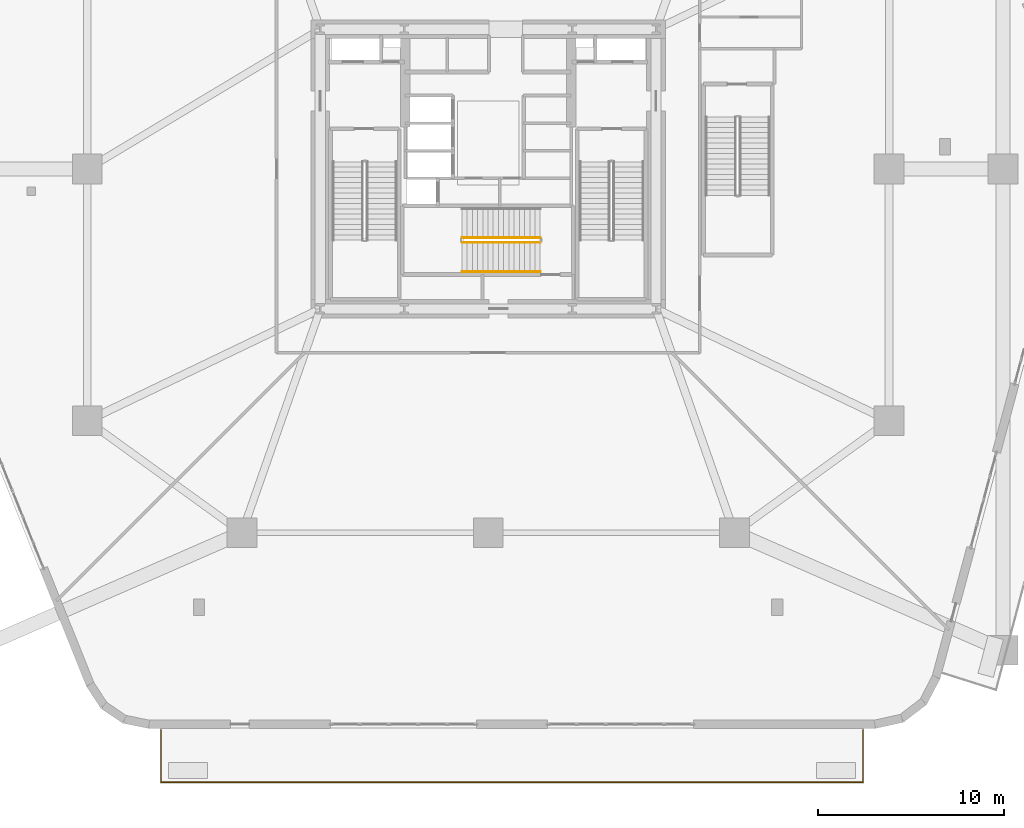
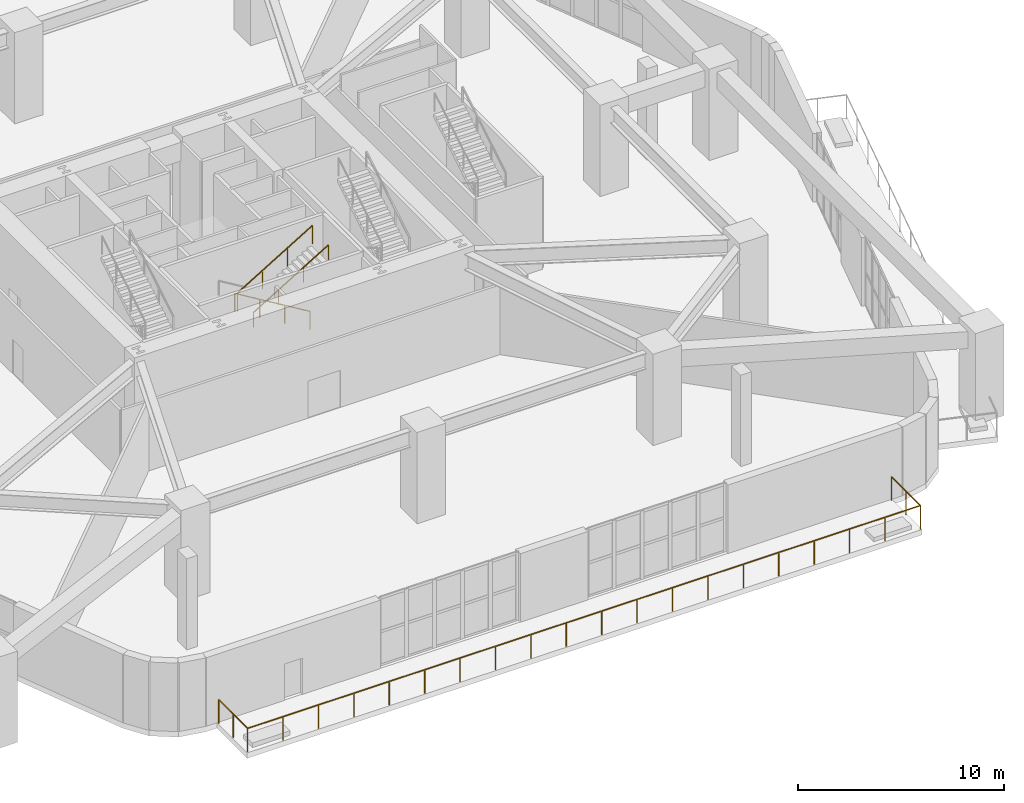
# One storey, part 31 of 34: 4 railings.
"""IFC4 building model written with IfcOpenShell, lengths in metres."""

from ifc_helpers import new_model, si_unit, direction, frame, origin, origin_2d, place, context, subcontext, project, spatial, rectangle, extrude, material, layer, layer_set, type_object, element, save


model = new_model("IFC4")

# Units and contexts
model_context = context("Model", 3, precision=1e-05, world=origin(), true_north=direction((0.0, 1.0)))
body_context = subcontext(model_context, "Body", "Model", "MODEL_VIEW")
ifc_project = project(units=[si_unit("LENGTHUNIT", "METRE"), si_unit("AREAUNIT", "SQUARE_METRE"), si_unit("VOLUMEUNIT", "CUBIC_METRE"), si_unit("PLANEANGLEUNIT", "RADIAN"), si_unit("MASSUNIT", "GRAM", prefix="KILO")], contexts=[model_context])

# Site, building, storey
site_placement = place(None, origin())
site = spatial("IfcSite", under=ifc_project, at=site_placement, CompositionType="ELEMENT")
building_placement = place(site_placement, origin())
building = spatial("IfcBuilding", under=site, at=building_placement, Name="Kilnhurst Terrace Hotel", CompositionType="ELEMENT")
storey_placement = place(building_placement, frame((0.0, 0.0, 6.0)))
storey = spatial("IfcBuildingStorey", under=building, at=storey_placement, Name="L01", CompositionType="ELEMENT", Elevation=6.0)

# Railings
ifc_material_1 = material(Name="Laminated SentryGlas and Stainless Steel AISI 316L Balustrade", Category="steel")
ifc_layer_1 = layer(ifc_material_1, 0.070068359375, Name="Laminated SentryGlas and Stainless Steel AISI 316L Balustrade")
ifc_layer_set_1 = layer_set([ifc_layer_1], Name="Laminated SentryGlas and Stainless Steel AISI 316L Balustrade")
railing_type_1 = type_object("IfcRailingType", Name="RLG-BAL-1420", PredefinedType="BALUSTRADE", material=ifc_layer_set_1)
railing_1_placement = place(storey_placement, frame((20.09765625, -30.080078125, 0.0)))
element("IfcRailing", 1, at=railing_1_placement, inside=storey, type_object=railing_type_1, Name="L01 Exterior Terrace Guardrail TERR-1.1", PredefinedType="BALUSTRADE", context=body_context, shape_type="SweptSolid", body=[
    extrude(rectangle(XDim=0.048095703125, YDim=0.048095703125, at=origin_2d()), frame((0.0, 0.0, 1.39599609375), z_axis=(0.0, -1.0, 0.0), x_axis=(1.0, 0.0, 0.0)), (0.0, 0.0, 1.0), 2.7998046875),
    extrude(rectangle(XDim=0.048095703125, YDim=0.048095703125, at=origin_2d()), frame((0.0, -2.7998046875, 1.39599609375), z_axis=(-1.0, 0.0, 0.0), x_axis=(0.0, -1.0, 0.0)), (0.0, 0.0, 1.0), 37.641845703125),
    extrude(rectangle(XDim=0.048095703125, YDim=0.048095703125, at=origin_2d()), frame((-37.641845703125, -2.7998046875, 1.39599609375), z_axis=(0.0, 1.0, 0.0), x_axis=(-1.0, 0.0, 0.0)), (0.0, 0.0, 1.0), 2.7998046875),
    extrude(rectangle(XDim=0.0419921875, YDim=0.0419921875, at=origin_2d()), origin(), (0.0, 0.0, 1.0), 1.371826171875),
    extrude(rectangle(XDim=0.0419921875, YDim=0.0419921875, at=origin_2d()), frame((0.0, -1.39990234375, 0.0)), (0.0, 0.0, 1.0), 1.371826171875),
    extrude(rectangle(XDim=0.0419921875, YDim=0.0419921875, at=origin_2d()), frame((0.0, -2.7998046875, 0.0)), (0.0, 0.0, 1.0), 1.371826171875),
    extrude(rectangle(XDim=0.0419921875, YDim=0.0419921875, at=origin_2d()), frame((-1.981201171875, -2.7998046875, 0.0)), (0.0, 0.0, 1.0), 1.371826171875),
    extrude(rectangle(XDim=0.0419921875, YDim=0.0419921875, at=origin_2d()), frame((-3.96240234375, -2.7998046875, 0.0)), (0.0, 0.0, 1.0), 1.371826171875),
    extrude(rectangle(XDim=0.0419921875, YDim=0.0419921875, at=origin_2d()), frame((-5.943359375, -2.7998046875, 0.0)), (0.0, 0.0, 1.0), 1.371826171875),
    extrude(rectangle(XDim=0.0419921875, YDim=0.0419921875, at=origin_2d()), frame((-7.924560546875, -2.7998046875, 0.0)), (0.0, 0.0, 1.0), 1.371826171875),
    extrude(rectangle(XDim=0.0419921875, YDim=0.0419921875, at=origin_2d()), frame((-9.90576171875, -2.7998046875, 0.0)), (0.0, 0.0, 1.0), 1.371826171875),
    extrude(rectangle(XDim=0.0419921875, YDim=0.0419921875, at=origin_2d()), frame((-11.886962890625, -2.7998046875, 0.0)), (0.0, 0.0, 1.0), 1.371826171875),
    extrude(rectangle(XDim=0.0419921875, YDim=0.0419921875, at=origin_2d()), frame((-13.8681640625, -2.7998046875, 0.0)), (0.0, 0.0, 1.0), 1.371826171875),
    extrude(rectangle(XDim=0.0419921875, YDim=0.0419921875, at=origin_2d()), frame((-15.84912109375, -2.7998046875, 0.0)), (0.0, 0.0, 1.0), 1.371826171875),
    extrude(rectangle(XDim=0.0419921875, YDim=0.0419921875, at=origin_2d()), frame((-17.830322265625, -2.7998046875, 0.0)), (0.0, 0.0, 1.0), 1.371826171875),
    extrude(rectangle(XDim=0.0419921875, YDim=0.0419921875, at=origin_2d()), frame((-19.8115234375, -2.7998046875, 0.0)), (0.0, 0.0, 1.0), 1.371826171875),
    extrude(rectangle(XDim=0.0419921875, YDim=0.0419921875, at=origin_2d()), frame((-21.792724609375, -2.7998046875, 0.0)), (0.0, 0.0, 1.0), 1.371826171875),
    extrude(rectangle(XDim=0.0419921875, YDim=0.0419921875, at=origin_2d()), frame((-23.773681640625, -2.7998046875, 0.0)), (0.0, 0.0, 1.0), 1.371826171875),
    extrude(rectangle(XDim=0.0419921875, YDim=0.0419921875, at=origin_2d()), frame((-25.7548828125, -2.7998046875, 0.0)), (0.0, 0.0, 1.0), 1.371826171875),
    extrude(rectangle(XDim=0.0419921875, YDim=0.0419921875, at=origin_2d()), frame((-27.736083984375, -2.7998046875, 0.0)), (0.0, 0.0, 1.0), 1.371826171875),
    extrude(rectangle(XDim=0.0419921875, YDim=0.0419921875, at=origin_2d()), frame((-29.71728515625, -2.7998046875, 0.0)), (0.0, 0.0, 1.0), 1.371826171875),
    extrude(rectangle(XDim=0.0419921875, YDim=0.0419921875, at=origin_2d()), frame((-31.698486328125, -2.7998046875, 0.0)), (0.0, 0.0, 1.0), 1.371826171875),
    extrude(rectangle(XDim=0.0419921875, YDim=0.0419921875, at=origin_2d()), frame((-33.679443359375, -2.7998046875, 0.0)), (0.0, 0.0, 1.0), 1.371826171875),
    extrude(rectangle(XDim=0.0419921875, YDim=0.0419921875, at=origin_2d()), frame((-35.66064453125, -2.7998046875, 0.0)), (0.0, 0.0, 1.0), 1.371826171875),
    extrude(rectangle(XDim=0.0419921875, YDim=0.0419921875, at=origin_2d()), frame((-37.641845703125, -2.7998046875, 0.0)), (0.0, 0.0, 1.0), 1.371826171875),
    extrude(rectangle(XDim=0.0419921875, YDim=0.0419921875, at=origin_2d()), frame((-37.641845703125, -1.39990234375, 0.0)), (0.0, 0.0, 1.0), 1.371826171875),
    extrude(rectangle(XDim=0.0419921875, YDim=0.0419921875, at=origin_2d()), frame((-37.641845703125, 0.0, 0.0)), (0.0, 0.0, 1.0), 1.371826171875),
])
ifc_material_2 = material(Name="Powder-Coated Steel ASTM A500 Grade B", Category="steel")
ifc_layer_2 = layer(ifc_material_2, 0.050048828125, Name="Powder-Coated Steel ASTM A500 Grade B")
ifc_layer_set_2 = layer_set([ifc_layer_2], Name="Powder-Coated Steel ASTM A500 Grade B")
railing_type_2 = type_object("IfcRailingType", Name="RLG-ST-GRD-1100", PredefinedType="GUARDRAIL", material=ifc_layer_set_2)
railing_2_placement = place(storey_placement, frame((2.7900390625, -3.68994140625, 0.168701171875)))
element("IfcRailing", 2, at=railing_2_placement, inside=storey, type_object=railing_type_2, Name="L01 ST-3 stair guard 1", PredefinedType="GUARDRAIL", context=body_context, shape_type="SweptSolid", body=[
    extrude(rectangle(XDim=0.048095703125, YDim=0.048095703125, at=origin_2d()), frame((0.0, 0.0, 1.076171875), z_axis=(-0.856476492594, 0.0, 0.516186030065), x_axis=(0.0, -1.0, 0.0)), (0.0, 0.0, 1.0), 4.90380859375),
    extrude(rectangle(XDim=0.0419921875, YDim=0.0419921875, at=origin_2d()), origin(), (0.0, 0.0, 1.0), 1.052001953125),
    extrude(rectangle(XDim=0.0419921875, YDim=0.0419921875, at=origin_2d()), frame((-1.39990234375, 0.0, 0.84375)), (0.0, 0.0, 1.0), 1.052001953125),
    extrude(rectangle(XDim=0.0419921875, YDim=0.0419921875, at=origin_2d()), frame((-2.800048828125, 0.0, 1.6875)), (0.0, 0.0, 1.0), 1.052001953125),
    extrude(rectangle(XDim=0.0419921875, YDim=0.0419921875, at=origin_2d()), frame((-4.199951171875, 0.0, 2.53125)), (0.0, 0.0, 1.0), 1.052001953125),
])
railing_3_placement = place(storey_placement, frame((-1.409912109375, -3.93994140625, 2.86865234375)))
element("IfcRailing", 3, at=railing_3_placement, inside=storey, type_object=railing_type_2, Name="L01 ST-3 stair guard 3", PredefinedType="GUARDRAIL", context=body_context, shape_type="SweptSolid", body=[
    extrude(rectangle(XDim=0.048095703125, YDim=0.048095703125, at=origin_2d()), frame((0.0, 0.0, 1.076171875), z_axis=(0.856476492594, 0.0, 0.516186030065), x_axis=(0.0, 1.0, 0.0)), (0.0, 0.0, 1.0), 4.90380859375),
    extrude(rectangle(XDim=0.0419921875, YDim=0.0419921875, at=origin_2d()), origin(), (0.0, 0.0, 1.0), 1.052001953125),
    extrude(rectangle(XDim=0.0419921875, YDim=0.0419921875, at=origin_2d()), frame((1.39990234375, 0.0, 0.84375)), (0.0, 0.0, 1.0), 1.052001953125),
    extrude(rectangle(XDim=0.0419921875, YDim=0.0419921875, at=origin_2d()), frame((2.800048828125, 0.0, 1.6875)), (0.0, 0.0, 1.0), 1.052001953125),
    extrude(rectangle(XDim=0.0419921875, YDim=0.0419921875, at=origin_2d()), frame((4.199951171875, 0.0, 2.53125)), (0.0, 0.0, 1.0), 1.052001953125),
])
ifc_material_3 = material(Name="Brushed Stainless Steel AISI 304", Category="steel")
ifc_layer_3 = layer(ifc_material_3, 0.048095703125, Name="Brushed Stainless Steel AISI 304")
ifc_layer_set_3 = layer_set([ifc_layer_3], Name="Brushed Stainless Steel AISI 304")
railing_type_3 = type_object("IfcRailingType", Name="RLG-ST-HRL-900", PredefinedType="HANDRAIL", material=ifc_layer_set_3)
railing_4_placement = place(storey_placement, frame((-1.409912109375, -5.5, 2.86865234375)))
element("IfcRailing", 4, at=railing_4_placement, inside=storey, type_object=railing_type_3, Name="L01 ST-3 stair handrail 2", PredefinedType="HANDRAIL", context=body_context, shape_type="SweptSolid", body=[
    extrude(rectangle(XDim=0.048095703125, YDim=0.048095703125, at=origin_2d()), frame((0.0, 0.0, 0.8759765625), z_axis=(0.856476492594, 0.0, 0.516186030065), x_axis=(0.0, 1.0, 0.0)), (0.0, 0.0, 1.0), 4.90380859375),
    extrude(rectangle(XDim=0.0419921875, YDim=0.0419921875, at=origin_2d()), origin(), (0.0, 0.0, 1.0), 0.851806640625),
    extrude(rectangle(XDim=0.0419921875, YDim=0.0419921875, at=origin_2d()), frame((1.39990234375, 0.0, 0.84375)), (0.0, 0.0, 1.0), 0.851806640625),
    extrude(rectangle(XDim=0.0419921875, YDim=0.0419921875, at=origin_2d()), frame((2.800048828125, 0.0, 1.6875)), (0.0, 0.0, 1.0), 0.851806640625),
    extrude(rectangle(XDim=0.0419921875, YDim=0.0419921875, at=origin_2d()), frame((4.199951171875, 0.0, 2.53125)), (0.0, 0.0, 1.0), 0.851806640625),
])

save(model, "model.ifc")
